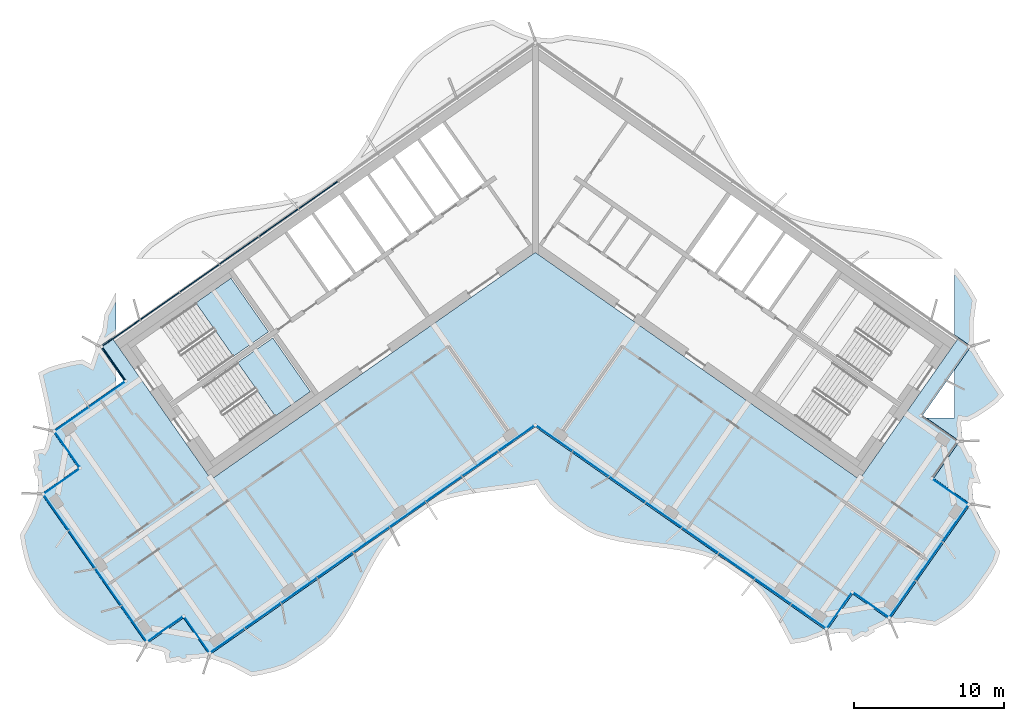
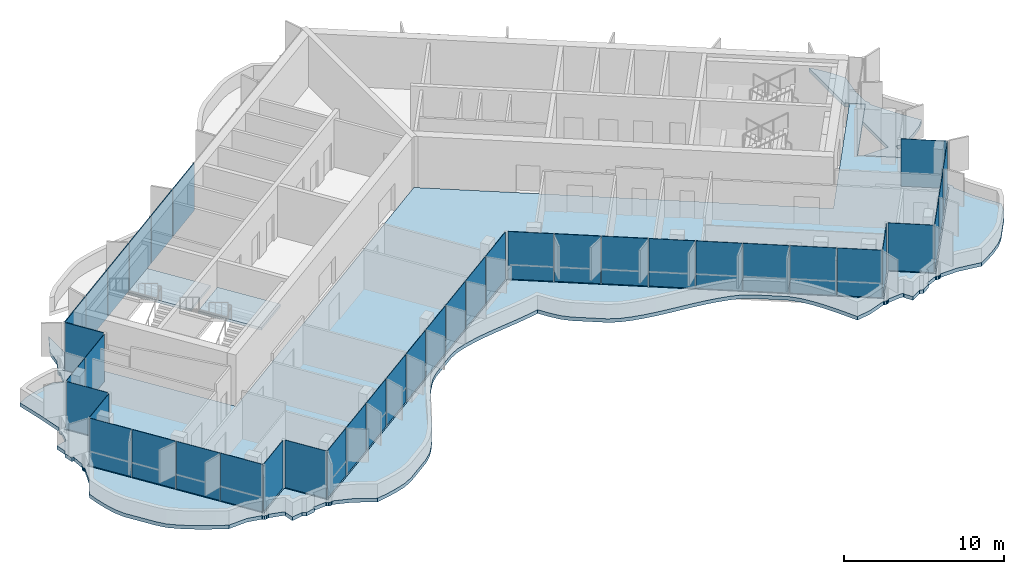
# One storey, part 7 of 17: 40 plates, 4 slabs, 4 elements without a shape of their own.
"""IFC4 building model written with IfcOpenShell, lengths in metres."""

from ifc_helpers import new_model, si_unit, direction, frame, origin, origin_2d, place, context, subcontext, project, spatial, polyline, rectangle, outline, extrude, material, layer, layer_set, type_object, element, aggregate, save


model = new_model("IFC4")

# Units and contexts
model_context = context("Model", 3, precision=1e-05, world=origin(), true_north=direction((0.0, 1.0)))
body_context = subcontext(model_context, "Body", "Model", "MODEL_VIEW")
ifc_project = project(units=[si_unit("LENGTHUNIT", "METRE"), si_unit("AREAUNIT", "SQUARE_METRE"), si_unit("VOLUMEUNIT", "CUBIC_METRE"), si_unit("PLANEANGLEUNIT", "RADIAN"), si_unit("MASSUNIT", "GRAM", prefix="KILO")], contexts=[model_context])

# Site, building, storey
site_placement = place(None, origin())
site = spatial("IfcSite", under=ifc_project, at=site_placement, CompositionType="ELEMENT")
building_placement = place(site_placement, origin())
building = spatial("IfcBuilding", under=site, at=building_placement, Name="Tel Ilan Convention Tower", CompositionType="ELEMENT")
storey_placement = place(building_placement, frame((0.0, 0.0, 276.10009765625)))
storey = spatial("IfcBuildingStorey", under=building, at=storey_placement, Name="L65", CompositionType="ELEMENT", Elevation=276.10009765625)

# Curtain wall, plates
ifc_material_1 = material(Name="Aluminium, bronze anodised", Category="aluminium")
curtain_wall_type_1 = type_object("IfcCurtainWallType", Name="CW2 STICK CURTAIN WALL, SPANDREL PANELS", PredefinedType="NOTDEFINED", material=ifc_material_1)
curtain_wall_1_placement = place(storey_placement, origin())
curtain_wall_1 = element("IfcCurtainWall", 1, at=curtain_wall_1_placement, inside=storey, type_object=curtain_wall_type_1, Name="Curtain wall CW2-50.01", PredefinedType="NOTDEFINED")
ifc_material_2 = material(Name="Aluminium composite panel, bronze anodised", Category="aluminium")
ifc_layer_1 = layer(ifc_material_2, 0.06005859375)
ifc_layer_set_1 = layer_set([ifc_layer_1], Name="CW SPANDREL PANEL 60")
plate_type_1 = type_object("IfcPlateType", Name="CW SPANDREL PANEL 60", PredefinedType="CURTAIN_PANEL", material=ifc_layer_set_1)
plate_1_placement = place(storey_placement, frame((-14.422119140625, 2.59765625, -0.000244140625), z_axis=(0.0, 0.0, 1.0), x_axis=(-0.819152044289, -0.573576436351, 0.0)))
plate_1 = element("IfcPlate", 2, at=plate_1_placement, type_object=plate_type_1, Name="Spandrel panel", PredefinedType="CURTAIN_PANEL", context=body_context, shape_type="SweptSolid", body=[
    extrude(rectangle(XDim=3.15380859375, YDim=0.06005859375, at=origin_2d()), origin(), (0.0, 0.0, 1.0), 3.6201171875),
])
plate_2_placement = place(storey_placement, frame((-17.0546875, 0.754150390625, -0.000244140625), z_axis=(0.0, 0.0, 1.0), x_axis=(-0.819152044289, -0.573576436351, 0.0)))
plate_2 = element("IfcPlate", 3, at=plate_2_placement, type_object=plate_type_1, Name="Spandrel panel", PredefinedType="CURTAIN_PANEL", context=body_context, shape_type="SweptSolid", body=[
    extrude(rectangle(XDim=3.15380859375, YDim=0.06005859375, at=origin_2d()), origin(), (0.0, 0.0, 1.0), 3.6201171875),
])
plate_3_placement = place(storey_placement, frame((-19.687255859375, -1.089111328125, -0.000244140625), z_axis=(0.0, 0.0, 1.0), x_axis=(-0.819152044289, -0.573576436351, 0.0)))
plate_3 = element("IfcPlate", 4, at=plate_3_placement, type_object=plate_type_1, Name="Spandrel panel", PredefinedType="CURTAIN_PANEL", context=body_context, shape_type="SweptSolid", body=[
    extrude(rectangle(XDim=3.15380859375, YDim=0.06005859375, at=origin_2d()), origin(), (0.0, 0.0, 1.0), 3.6201171875),
])
plate_4_placement = place(storey_placement, frame((-22.31982421875, -2.9326171875, -0.000244140625), z_axis=(0.0, 0.0, 1.0), x_axis=(-0.819152044289, -0.573576436351, 0.0)))
plate_4 = element("IfcPlate", 5, at=plate_4_placement, type_object=plate_type_1, Name="Spandrel panel", PredefinedType="CURTAIN_PANEL", context=body_context, shape_type="SweptSolid", body=[
    extrude(rectangle(XDim=3.15380859375, YDim=0.06005859375, at=origin_2d()), origin(), (0.0, 0.0, 1.0), 3.6201171875),
])
plate_5_placement = place(storey_placement, frame((-24.95263671875, -4.77587890625, -0.000244140625), z_axis=(0.0, 0.0, 1.0), x_axis=(-0.819152044289, -0.573576436351, 0.0)))
plate_5 = element("IfcPlate", 6, at=plate_5_placement, type_object=plate_type_1, Name="Spandrel panel", PredefinedType="CURTAIN_PANEL", context=body_context, shape_type="SweptSolid", body=[
    extrude(rectangle(XDim=3.15380859375, YDim=0.06005859375, at=origin_2d()), origin(), (0.0, 0.0, 1.0), 3.6201171875),
])
plate_6_placement = place(storey_placement, frame((-27.5400390625, -6.587646484375, -0.000244140625), z_axis=(0.0, 0.0, 1.0), x_axis=(-0.819152044289, -0.573576436351, 0.0)))
plate_6 = element("IfcPlate", 7, at=plate_6_placement, type_object=plate_type_1, Name="Spandrel panel", PredefinedType="CURTAIN_PANEL", context=body_context, shape_type="SweptSolid", body=[
    extrude(rectangle(XDim=3.0439453125, YDim=0.06005859375, at=origin_2d()), origin(), (0.0, 0.0, 1.0), 3.6201171875),
])
plate_7_placement = place(storey_placement, frame((-28.033935546875, -8.60546875, -0.000244140625), z_axis=(0.0, 0.0, 1.0), x_axis=(0.573576436351, -0.819152044289, 0.0)))
plate_7 = element("IfcPlate", 8, at=plate_7_placement, type_object=plate_type_1, Name="Spandrel panel", PredefinedType="CURTAIN_PANEL", context=body_context, shape_type="SweptSolid", body=[
    extrude(rectangle(XDim=2.658935546875, YDim=0.06005859375, at=origin_2d()), origin(), (0.0, 0.0, 1.0), 3.6201171875),
])
aggregate(curtain_wall_1, [plate_1, plate_2, plate_3, plate_4, plate_5, plate_6, plate_7])

ifc_material_3 = material(Name="Aluminium, bronze anodised", Category="aluminium")
curtain_wall_type_2 = type_object("IfcCurtainWallType", Name="CW5 STICK CURTAIN WALL, UPPER OFFICE LOW-IRON TINTED GLASS", PredefinedType="NOTDEFINED", material=ifc_material_3)
curtain_wall_2_placement = place(storey_placement, origin())
curtain_wall_2 = element("IfcCurtainWall", 9, at=curtain_wall_2_placement, inside=storey, type_object=curtain_wall_type_2, Name="Curtain wall CW5-50.02", PredefinedType="NOTDEFINED")
ifc_material_4 = material(Name="Glass, low-iron bronze tinted, two-ply", Category="glass")
ifc_layer_2 = layer(ifc_material_4, 0.031982421875)
ifc_layer_set_2 = layer_set([ifc_layer_2], Name="CW UPPER GLASS PANEL 32")
plate_type_2 = type_object("IfcPlateType", Name="CW UPPER GLASS PANEL 32", PredefinedType="CURTAIN_PANEL", material=ifc_layer_set_2)
plate_8_placement = place(storey_placement, frame((-28.471435546875, -10.657958984375, -0.000244140625), z_axis=(0.0, 0.0, 1.0), x_axis=(-0.819152044289, -0.573576436351, 0.0)))
plate_8 = element("IfcPlate", 10, at=plate_8_placement, type_object=plate_type_2, Name="Glass panel", PredefinedType="CURTAIN_PANEL", context=body_context, shape_type="SweptSolid", body=[
    extrude(rectangle(XDim=2.868896484375, YDim=0.028076171875, at=origin_2d()), origin(), (0.0, 0.0, 1.0), 3.6201171875),
])
plate_9_placement = place(storey_placement, frame((-30.8203125, -12.302734375, -0.000244140625), z_axis=(0.0, 0.0, 1.0), x_axis=(-0.819152044289, -0.573576436351, 0.0)))
plate_9 = element("IfcPlate", 11, at=plate_9_placement, type_object=plate_type_2, Name="Glass panel", PredefinedType="CURTAIN_PANEL", context=body_context, shape_type="SweptSolid", body=[
    extrude(rectangle(XDim=2.74609375, YDim=0.028076171875, at=origin_2d()), origin(), (0.0, 0.0, 1.0), 3.6201171875),
])
plate_10_placement = place(storey_placement, frame((-31.126220703125, -14.30126953125, -0.000244140625), z_axis=(0.0, 0.0, 1.0), x_axis=(0.573576436351, -0.819152044289, 0.0)))
plate_10 = element("IfcPlate", 12, at=plate_10_placement, type_object=plate_type_2, Name="Glass panel", PredefinedType="CURTAIN_PANEL", context=body_context, shape_type="SweptSolid", body=[
    extrude(rectangle(XDim=2.875, YDim=0.028076171875, at=origin_2d()), origin(), (0.0, 0.0, 1.0), 3.6201171875),
])
plate_11_placement = place(storey_placement, frame((-31.504150390625, -16.44384765625, -0.000244140625), z_axis=(0.0, 0.0, 1.0), x_axis=(-0.819152044289, -0.573576436351, 0.0)))
plate_11 = element("IfcPlate", 13, at=plate_11_placement, type_object=plate_type_2, Name="Glass panel", PredefinedType="CURTAIN_PANEL", context=body_context, shape_type="SweptSolid", body=[
    extrude(rectangle(XDim=2.875, YDim=0.028076171875, at=origin_2d()), origin(), (0.0, 0.0, 1.0), 3.6201171875),
])
plate_12_placement = place(storey_placement, frame((-31.85693359375, -18.488037109375, -0.000244140625), z_axis=(0.0, 0.0, 1.0), x_axis=(0.573576436351, -0.819152044289, 0.0)))
plate_12 = element("IfcPlate", 14, at=plate_12_placement, type_object=plate_type_2, Name="Glass panel", PredefinedType="CURTAIN_PANEL", context=body_context, shape_type="SweptSolid", body=[
    extrude(rectangle(XDim=2.89599609375, YDim=0.028076171875, at=origin_2d()), origin(), (0.0, 0.0, 1.0), 3.6201171875),
])
plate_13_placement = place(storey_placement, frame((-30.134521484375, -20.94775390625, -0.000244140625), z_axis=(0.0, 0.0, 1.0), x_axis=(0.573576436351, -0.819152044289, 0.0)))
plate_13 = element("IfcPlate", 15, at=plate_13_placement, type_object=plate_type_2, Name="Glass panel", PredefinedType="CURTAIN_PANEL", context=body_context, shape_type="SweptSolid", body=[
    extrude(rectangle(XDim=2.989990234375, YDim=0.028076171875, at=origin_2d()), origin(), (0.0, 0.0, 1.0), 3.6201171875),
])
plate_14_placement = place(storey_placement, frame((-28.38525390625, -23.4462890625, -0.000244140625), z_axis=(0.0, 0.0, 1.0), x_axis=(0.573576436351, -0.819152044289, 0.0)))
plate_14 = element("IfcPlate", 16, at=plate_14_placement, type_object=plate_type_2, Name="Glass panel", PredefinedType="CURTAIN_PANEL", context=body_context, shape_type="SweptSolid", body=[
    extrude(rectangle(XDim=2.989990234375, YDim=0.028076171875, at=origin_2d()), origin(), (0.0, 0.0, 1.0), 3.6201171875),
])
plate_15_placement = place(storey_placement, frame((-26.66259765625, -25.90625, -0.000244140625), z_axis=(0.0, 0.0, 1.0), x_axis=(0.573576436351, -0.819152044289, 0.0)))
plate_15 = element("IfcPlate", 17, at=plate_15_placement, type_object=plate_type_2, Name="Glass panel", PredefinedType="CURTAIN_PANEL", context=body_context, shape_type="SweptSolid", body=[
    extrude(rectangle(XDim=2.89599609375, YDim=0.028076171875, at=origin_2d()), origin(), (0.0, 0.0, 1.0), 3.6201171875),
])
plate_16_placement = place(storey_placement, frame((-24.621337890625, -26.273681640625, -0.000244140625), z_axis=(0.0, 0.0, 1.0), x_axis=(0.819152044289, 0.573576436351, 0.0)))
plate_16 = element("IfcPlate", 18, at=plate_16_placement, type_object=plate_type_2, Name="Glass panel", PredefinedType="CURTAIN_PANEL", context=body_context, shape_type="SweptSolid", body=[
    extrude(rectangle(XDim=2.875, YDim=0.028076171875, at=origin_2d()), origin(), (0.0, 0.0, 1.0), 3.6201171875),
])
plate_17_placement = place(storey_placement, frame((-22.478515625, -26.651611328125, -0.000244140625), z_axis=(0.0, 0.0, 1.0), x_axis=(0.573576436351, -0.819152044289, 0.0)))
plate_17 = element("IfcPlate", 19, at=plate_17_placement, type_object=plate_type_2, Name="Glass panel", PredefinedType="CURTAIN_PANEL", context=body_context, shape_type="SweptSolid", body=[
    extrude(rectangle(XDim=2.875, YDim=0.028076171875, at=origin_2d()), origin(), (0.0, 0.0, 1.0), 3.6201171875),
])
plate_18_placement = place(storey_placement, frame((-20.47998046875, -27.036376953125, -0.000244140625), z_axis=(0.0, 0.0, 1.0), x_axis=(0.819152044289, 0.573576436351, 0.0)))
plate_18 = element("IfcPlate", 20, at=plate_18_placement, type_object=plate_type_2, Name="Glass panel", PredefinedType="CURTAIN_PANEL", context=body_context, shape_type="SweptSolid", body=[
    extrude(rectangle(XDim=2.78466796875, YDim=0.028076171875, at=origin_2d()), origin(), (0.0, 0.0, 1.0), 3.6201171875),
])
plate_19_placement = place(storey_placement, frame((-18.111328125, -25.377685546875, -0.000244140625), z_axis=(0.0, 0.0, 1.0), x_axis=(0.819152044289, 0.573576436351, 0.0)))
plate_19 = element("IfcPlate", 21, at=plate_19_placement, type_object=plate_type_2, Name="Glass panel", PredefinedType="CURTAIN_PANEL", context=body_context, shape_type="SweptSolid", body=[
    extrude(rectangle(XDim=2.878662109375, YDim=0.028076171875, at=origin_2d()), origin(), (0.0, 0.0, 1.0), 3.6201171875),
])
plate_20_placement = place(storey_placement, frame((-15.7041015625, -23.692138671875, -0.000244140625), z_axis=(0.0, 0.0, 1.0), x_axis=(0.819152044289, 0.573576436351, 0.0)))
plate_20 = element("IfcPlate", 22, at=plate_20_placement, type_object=plate_type_2, Name="Glass panel", PredefinedType="CURTAIN_PANEL", context=body_context, shape_type="SweptSolid", body=[
    extrude(rectangle(XDim=2.878662109375, YDim=0.028076171875, at=origin_2d()), origin(), (0.0, 0.0, 1.0), 3.6201171875),
])
plate_21_placement = place(storey_placement, frame((-13.296875, -22.006591796875, -0.000244140625), z_axis=(0.0, 0.0, 1.0), x_axis=(0.819152044289, 0.573576436351, 0.0)))
plate_21 = element("IfcPlate", 23, at=plate_21_placement, type_object=plate_type_2, Name="Glass panel", PredefinedType="CURTAIN_PANEL", context=body_context, shape_type="SweptSolid", body=[
    extrude(rectangle(XDim=2.878662109375, YDim=0.028076171875, at=origin_2d()), origin(), (0.0, 0.0, 1.0), 3.6201171875),
])
plate_22_placement = place(storey_placement, frame((-10.8896484375, -20.321044921875, -0.000244140625), z_axis=(0.0, 0.0, 1.0), x_axis=(0.819152044289, 0.573576436351, 0.0)))
plate_22 = element("IfcPlate", 24, at=plate_22_placement, type_object=plate_type_2, Name="Glass panel", PredefinedType="CURTAIN_PANEL", context=body_context, shape_type="SweptSolid", body=[
    extrude(rectangle(XDim=2.878662109375, YDim=0.028076171875, at=origin_2d()), origin(), (0.0, 0.0, 1.0), 3.6201171875),
])
plate_23_placement = place(storey_placement, frame((-8.482666015625, -18.635498046875, -0.000244140625), z_axis=(0.0, 0.0, 1.0), x_axis=(0.819152044289, 0.573576436351, 0.0)))
plate_23 = element("IfcPlate", 25, at=plate_23_placement, type_object=plate_type_2, Name="Glass panel", PredefinedType="CURTAIN_PANEL", context=body_context, shape_type="SweptSolid", body=[
    extrude(rectangle(XDim=2.878662109375, YDim=0.028076171875, at=origin_2d()), origin(), (0.0, 0.0, 1.0), 3.6201171875),
])
plate_24_placement = place(storey_placement, frame((-6.075439453125, -16.949951171875, -0.000244140625), z_axis=(0.0, 0.0, 1.0), x_axis=(0.819152044289, 0.573576436351, 0.0)))
plate_24 = element("IfcPlate", 26, at=plate_24_placement, type_object=plate_type_2, Name="Glass panel", PredefinedType="CURTAIN_PANEL", context=body_context, shape_type="SweptSolid", body=[
    extrude(rectangle(XDim=2.878662109375, YDim=0.028076171875, at=origin_2d()), origin(), (0.0, 0.0, 1.0), 3.6201171875),
])
plate_25_placement = place(storey_placement, frame((-3.668212890625, -15.264404296875, -0.000244140625), z_axis=(0.0, 0.0, 1.0), x_axis=(0.819152044289, 0.573576436351, 0.0)))
plate_25 = element("IfcPlate", 27, at=plate_25_placement, type_object=plate_type_2, Name="Glass panel", PredefinedType="CURTAIN_PANEL", context=body_context, shape_type="SweptSolid", body=[
    extrude(rectangle(XDim=2.878662109375, YDim=0.028076171875, at=origin_2d()), origin(), (0.0, 0.0, 1.0), 3.6201171875),
])
plate_26_placement = place(storey_placement, frame((-1.261474609375, -13.579345703125, -0.000244140625), z_axis=(0.0, 0.0, 1.0), x_axis=(0.819152044289, 0.573576436351, 0.0)))
plate_26 = element("IfcPlate", 28, at=plate_26_placement, type_object=plate_type_2, Name="Glass panel", PredefinedType="CURTAIN_PANEL", context=body_context, shape_type="SweptSolid", body=[
    extrude(rectangle(XDim=2.877685546875, YDim=0.028076171875, at=origin_2d()), origin(), (0.0, 0.0, 1.0), 3.6201171875),
])
plate_27_placement = place(storey_placement, frame((1.280029296875, -13.59228515625, -0.000244140625), z_axis=(0.0, 0.0, 1.0), x_axis=(0.819152044289, -0.573576436351, 0.0)))
plate_27 = element("IfcPlate", 29, at=plate_27_placement, type_object=plate_type_2, Name="Glass panel", PredefinedType="CURTAIN_PANEL", context=body_context, shape_type="SweptSolid", body=[
    extrude(rectangle(XDim=2.866943359375, YDim=0.028076171875, at=origin_2d()), origin(), (0.0, 0.0, 1.0), 3.6201171875),
])
plate_28_placement = place(storey_placement, frame((3.689453125, -15.279541015625, -0.000244140625), z_axis=(0.0, 0.0, 1.0), x_axis=(0.819152044289, -0.573576436351, 0.0)))
plate_28 = element("IfcPlate", 30, at=plate_28_placement, type_object=plate_type_2, Name="Glass panel", PredefinedType="CURTAIN_PANEL", context=body_context, shape_type="SweptSolid", body=[
    extrude(rectangle(XDim=2.89599609375, YDim=0.028076171875, at=origin_2d()), origin(), (0.0, 0.0, 1.0), 3.6201171875),
])
plate_29_placement = place(storey_placement, frame((6.11083984375, -16.974853515625, -0.000244140625), z_axis=(0.0, 0.0, 1.0), x_axis=(0.819152044289, -0.573576436351, 0.0)))
plate_29 = element("IfcPlate", 31, at=plate_29_placement, type_object=plate_type_2, Name="Glass panel", PredefinedType="CURTAIN_PANEL", context=body_context, shape_type="SweptSolid", body=[
    extrude(rectangle(XDim=2.89599609375, YDim=0.028076171875, at=origin_2d()), origin(), (0.0, 0.0, 1.0), 3.6201171875),
])
plate_30_placement = place(storey_placement, frame((8.5322265625, -18.67041015625, -0.000244140625), z_axis=(0.0, 0.0, 1.0), x_axis=(0.819152044289, -0.573576436351, 0.0)))
plate_30 = element("IfcPlate", 32, at=plate_30_placement, type_object=plate_type_2, Name="Glass panel", PredefinedType="CURTAIN_PANEL", context=body_context, shape_type="SweptSolid", body=[
    extrude(rectangle(XDim=2.89599609375, YDim=0.028076171875, at=origin_2d()), origin(), (0.0, 0.0, 1.0), 3.6201171875),
])
plate_31_placement = place(storey_placement, frame((10.95361328125, -20.365966796875, -0.000244140625), z_axis=(0.0, 0.0, 1.0), x_axis=(0.819152044289, -0.573576436351, 0.0)))
plate_31 = element("IfcPlate", 33, at=plate_31_placement, type_object=plate_type_2, Name="Glass panel", PredefinedType="CURTAIN_PANEL", context=body_context, shape_type="SweptSolid", body=[
    extrude(rectangle(XDim=2.89599609375, YDim=0.028076171875, at=origin_2d()), origin(), (0.0, 0.0, 1.0), 3.6201171875),
])
plate_32_placement = place(storey_placement, frame((13.375, -22.061279296875, -0.000244140625), z_axis=(0.0, 0.0, 1.0), x_axis=(0.819152044289, -0.573576436351, 0.0)))
plate_32 = element("IfcPlate", 34, at=plate_32_placement, type_object=plate_type_2, Name="Glass panel", PredefinedType="CURTAIN_PANEL", context=body_context, shape_type="SweptSolid", body=[
    extrude(rectangle(XDim=2.89599609375, YDim=0.028076171875, at=origin_2d()), origin(), (0.0, 0.0, 1.0), 3.6201171875),
])
plate_33_placement = place(storey_placement, frame((15.79638671875, -23.7568359375, -0.000244140625), z_axis=(0.0, 0.0, 1.0), x_axis=(0.819152044289, -0.573576436351, 0.0)))
plate_33 = element("IfcPlate", 35, at=plate_33_placement, type_object=plate_type_2, Name="Glass panel", PredefinedType="CURTAIN_PANEL", context=body_context, shape_type="SweptSolid", body=[
    extrude(rectangle(XDim=2.89599609375, YDim=0.028076171875, at=origin_2d()), origin(), (0.0, 0.0, 1.0), 3.6201171875),
])
plate_34_placement = place(storey_placement, frame((18.17919921875, -25.42529296875, -0.000244140625), z_axis=(0.0, 0.0, 1.0), x_axis=(0.819152044289, -0.573576436351, 0.0)))
plate_34 = element("IfcPlate", 36, at=plate_34_placement, type_object=plate_type_2, Name="Glass panel", PredefinedType="CURTAIN_PANEL", context=body_context, shape_type="SweptSolid", body=[
    extrude(rectangle(XDim=2.802001953125, YDim=0.028076171875, at=origin_2d()), origin(), (0.0, 0.0, 1.0), 3.6201171875),
])
plate_35_placement = place(storey_placement, frame((20.184814453125, -25.04541015625, -0.000244140625), z_axis=(0.0, 0.0, 1.0), x_axis=(0.573576436351, 0.819152044289, 0.0)))
plate_35 = element("IfcPlate", 37, at=plate_35_placement, type_object=plate_type_2, Name="Glass panel", PredefinedType="CURTAIN_PANEL", context=body_context, shape_type="SweptSolid", body=[
    extrude(rectangle(XDim=2.875, YDim=0.028076171875, at=origin_2d()), origin(), (0.0, 0.0, 1.0), 3.6201171875),
])
plate_36_placement = place(storey_placement, frame((22.32763671875, -24.667724609375, -0.000244140625), z_axis=(0.0, 0.0, 1.0), x_axis=(0.819152044289, -0.573576436351, 0.0)))
plate_36 = element("IfcPlate", 38, at=plate_36_placement, type_object=plate_type_2, Name="Glass panel", PredefinedType="CURTAIN_PANEL", context=body_context, shape_type="SweptSolid", body=[
    extrude(rectangle(XDim=2.875, YDim=0.028076171875, at=origin_2d()), origin(), (0.0, 0.0, 1.0), 3.6201171875),
])
plate_37_placement = place(storey_placement, frame((24.39306640625, -24.26611328125, -0.000244140625), z_axis=(0.0, 0.0, 1.0), x_axis=(0.573576436351, 0.819152044289, 0.0)))
plate_37 = element("IfcPlate", 39, at=plate_37_placement, type_object=plate_type_2, Name="Glass panel", PredefinedType="CURTAIN_PANEL", context=body_context, shape_type="SweptSolid", body=[
    extrude(rectangle(XDim=2.979248046875, YDim=0.028076171875, at=origin_2d()), origin(), (0.0, 0.0, 1.0), 3.6201171875),
])
plate_38_placement = place(storey_placement, frame((26.163330078125, -21.73779296875, -0.000244140625), z_axis=(0.0, 0.0, 1.0), x_axis=(0.573576436351, 0.819152044289, 0.0)))
plate_38 = element("IfcPlate", 40, at=plate_38_placement, type_object=plate_type_2, Name="Glass panel", PredefinedType="CURTAIN_PANEL", context=body_context, shape_type="SweptSolid", body=[
    extrude(rectangle(XDim=3.0732421875, YDim=0.028076171875, at=origin_2d()), origin(), (0.0, 0.0, 1.0), 3.6201171875),
])
plate_39_placement = place(storey_placement, frame((27.93359375, -19.209716796875, -0.000244140625), z_axis=(0.0, 0.0, 1.0), x_axis=(0.573576436351, 0.819152044289, 0.0)))
plate_39 = element("IfcPlate", 41, at=plate_39_placement, type_object=plate_type_2, Name="Glass panel", PredefinedType="CURTAIN_PANEL", context=body_context, shape_type="SweptSolid", body=[
    extrude(rectangle(XDim=2.979248046875, YDim=0.028076171875, at=origin_2d()), origin(), (0.0, 0.0, 1.0), 3.6201171875),
])
plate_40_placement = place(storey_placement, frame((27.6044921875, -17.131591796875, -0.000244140625), z_axis=(0.0, 0.0, 1.0), x_axis=(-0.819152044289, 0.573576436351, 0.0)))
plate_40 = element("IfcPlate", 42, at=plate_40_placement, type_object=plate_type_2, Name="Glass panel", PredefinedType="CURTAIN_PANEL", context=body_context, shape_type="SweptSolid", body=[
    extrude(rectangle(XDim=2.875, YDim=0.028076171875, at=origin_2d()), origin(), (0.0, 0.0, 1.0), 3.6201171875),
])
aggregate(curtain_wall_2, [plate_8, plate_9, plate_10, plate_11, plate_12, plate_13, plate_14, plate_15, plate_16, plate_17, plate_18, plate_19, plate_20, plate_21, plate_22, plate_23, plate_24, plate_25, plate_26, plate_27, plate_28, plate_29, plate_30, plate_31, plate_32, plate_33, plate_34, plate_35, plate_36, plate_37, plate_38, plate_39, plate_40])

# Stair, slab
ifc_material_5 = material(Name="Concrete C40/50", Category="concrete")
stair_type = type_object("IfcStairType", Name="Pressurised Exit Stair 22 risers 177 mm", PredefinedType="HALF_TURN_STAIR", material=ifc_material_5)
stair_1_placement = place(storey_placement, origin())
stair_1 = element("IfcStair", 43, at=stair_1_placement, inside=storey, type_object=stair_type, Name="L65 Pressurised Stair S1", PredefinedType="HALF_TURN_STAIR")
ifc_material_6 = material(Name="Concrete C40/50", Category="concrete")
ifc_layer_3 = layer(ifc_material_6, 0.199951171875)
ifc_layer_set_3 = layer_set([ifc_layer_3], Name="Concrete Stair Landing 200 mm C40/50")
slab_type_1 = type_object("IfcSlabType", Name="Concrete Stair Landing 200 mm", PredefinedType="LANDING", material=ifc_layer_set_3)
slab_1_placement = place(storey_placement, frame((0.0, 0.0, 1.75)))
slab_1 = element("IfcSlab", 44, at=slab_1_placement, type_object=slab_type_1, Name="S1 landing 1", PredefinedType="LANDING", context=body_context, shape_type="SweptSolid", body=[
    extrude(outline(polyline([(-20.066650390625, -8.130126953125), (-17.7314453125, -6.494873046875), (-20.226318359375, -2.931640625), (-22.561767578125, -4.566650390625), (-20.066650390625, -8.130126953125)])), origin(), (0.0, 0.0, 1.0), 0.199951171875),
])
aggregate(stair_1, [slab_1])

stair_2_placement = place(storey_placement, origin())
stair_2 = element("IfcStair", 45, at=stair_2_placement, inside=storey, type_object=stair_type, Name="L65 Pressurised Stair S2", PredefinedType="HALF_TURN_STAIR")
slab_2_placement = place(storey_placement, frame((0.0, 0.0, 1.75)))
slab_2 = element("IfcSlab", 46, at=slab_2_placement, type_object=slab_type_1, Name="S2 landing 1", PredefinedType="LANDING", context=body_context, shape_type="SweptSolid", body=[
    extrude(outline(polyline([(-17.28466796875, -12.10302734375), (-14.949462890625, -10.4677734375), (-17.444580078125, -6.904541015625), (-19.77978515625, -8.53955078125), (-17.28466796875, -12.10302734375)])), origin(), (0.0, 0.0, 1.0), 0.199951171875),
])
aggregate(stair_2, [slab_2])

# Slabs
ifc_material_7 = material(Name="Concrete C40/50", Category="concrete")
ifc_layer_4 = layer(ifc_material_7, 0.280029296875)
ifc_layer_set_4 = layer_set([ifc_layer_4], Name="Edge Ledge Slab 280 mm C40/50")
slab_type_2 = type_object("IfcSlabType", Name="Edge Ledge Slab 280 mm C40/50", PredefinedType="FLOOR", material=ifc_layer_set_4)
slab_3_placement = place(storey_placement, frame((0.0, 0.0, -0.280029296875)))
element("IfcSlab", 47, at=slab_3_placement, inside=storey, type_object=slab_type_2, Name="L65 edge ledge 1", PredefinedType="FLOOR", context=body_context, shape_type="SweptSolid", body=[
    extrude(outline(polyline([(-23.49462890625, -28.5126953125), (-23.728759765625, -28.3701171875), (-24.51416015625, -28.518310546875), (-24.64697265625, -27.87890625), (-24.61669921875, -27.8291015625), (-24.7724609375, -27.73388671875), (-25.6708984375, -27.4970703125), (-25.67431640625, -27.4921875), (-25.728271484375, -27.5283203125), (-25.843017578125, -27.55126953125), (-25.957763671875, -27.5283203125), (-26.05517578125, -27.46337890625), (-26.083984375, -27.420166015625), (-26.088623046875, -27.42333984375), (-27.05419921875, -27.223388671875), (-28.398193359375, -27.288330078125), (-29.12353515625, -26.920166015625), (-29.82373046875, -26.5341796875), (-30.49462890625, -26.1279296875), (-31.125732421875, -25.69384765625), (-31.707763671875, -25.22509765625), (-32.166748046875, -24.670654296875), (-33.401611328125, -22.906982421875), (-33.7158203125, -22.2509765625), (-33.940185546875, -21.531982421875), (-34.1181640625, -20.780517578125), (-34.248779296875, -19.995849609375), (-33.47021484375, -18.574462890625), (-33.08642578125, -17.4296875), (-33.081787109375, -17.426513671875), (-33.117919921875, -17.372314453125), (-33.140625, -17.257568359375), (-33.117919921875, -17.142822265625), (-33.052734375, -17.04541015625), (-33.009521484375, -17.0166015625), (-33.0126953125, -17.011962890625), (-33.085693359375, -16.03955078125), (-33.232666015625, -16.067138671875), (-33.365478515625, -15.427490234375), (-33.22265625, -15.193603515625), (-33.370849609375, -14.408203125), (-32.7314453125, -14.275390625), (-32.681640625, -14.3056640625), (-32.586669921875, -14.14990234375), (-32.349609375, -13.25146484375), (-32.344970703125, -13.248291015625), (-32.381103515625, -13.194091796875), (-32.40380859375, -13.079345703125), (-32.381103515625, -12.964599609375), (-32.31591796875, -12.8671875), (-32.272705078125, -12.83837890625), (-32.27587890625, -12.833740234375), (-32.6083984375, -11.094970703125), (-33.031982421875, -9.225830078125), (-32.382080078125, -8.890380859375), (-31.6572265625, -8.661376953125), (-30.899169921875, -8.47998046875), (-30.110107421875, -8.3427734375), (-29.537353515625, -8.652587890625), (-29.20458984375, -7.631103515625), (-29.199951171875, -7.6279296875), (-29.236083984375, -7.57373046875), (-29.2587890625, -7.458984375), (-29.236083984375, -7.34423828125), (-29.1708984375, -7.246826171875), (-29.127685546875, -7.218017578125), (-29.130859375, -7.21337890625), (-28.772216796875, -6.441650390625), (-28.635009765625, -5.353515625), (-28.252685546875, -4.614990234375), (-27.875, -3.881103515625), (-27.875, -6.7001953125), (-28.958740234375, -7.458984375), (-27.875, -9.007080078125), (-27.875, -10.1181640625), (-32.10400390625, -13.079345703125), (-30.383056640625, -15.536865234375), (-32.840576171875, -17.257568359375), (-25.843017578125, -27.251220703125), (-23.385498046875, -25.530517578125), (-21.664794921875, -27.988037109375), (0.0, -12.818115234375), (19.37109375, -26.382080078125), (21.091796875, -23.924560546875), (23.54931640625, -25.645263671875), (28.94091796875, -17.9453125), (26.4833984375, -16.224609375), (28.2041015625, -13.76708984375), (26.023681640625, -12.239990234375), (27.875, -12.239990234375), (27.875, -9.007080078125), (28.958740234375, -7.458984375), (27.875, -6.7001953125), (27.875, -2.269287109375), (28.0107421875, -2.392578125), (28.48388671875, -3.001220703125), (28.922119140625, -3.6591796875), (29.331298828125, -4.35888671875), (29.109619140625, -5.95947265625), (29.130859375, -7.21337890625), (29.127685546875, -7.218017578125), (29.1708984375, -7.246826171875), (29.236083984375, -7.34423828125), (29.2587890625, -7.458984375), (29.236083984375, -7.57373046875), (29.199951171875, -7.6279296875), (29.20458984375, -7.631103515625), (30.056640625, -9.082275390625), (31.151123046875, -10.703125), (30.66748046875, -11.218994140625), (30.077880859375, -11.660888671875), (29.445068359375, -12.072265625), (28.752685546875, -12.44189453125), (28.33642578125, -12.373291015625), (28.291748046875, -12.595947265625), (28.376220703125, -13.521240234375), (28.373046875, -13.52587890625), (28.41650390625, -13.554931640625), (28.4814453125, -13.652099609375), (28.504150390625, -13.76708984375), (28.4814453125, -13.8818359375), (28.4453125, -13.935791015625), (28.449951171875, -13.939208984375), (28.889404296875, -14.805419921875), (28.979736328125, -14.751708984375), (29.3232421875, -15.30712890625), (29.26171875, -15.613037109375), (29.61181640625, -16.583740234375), (29.080078125, -16.5166015625), (29.028564453125, -16.774169921875), (29.113037109375, -17.699462890625), (29.10986328125, -17.7041015625), (29.153076171875, -17.733154296875), (29.218017578125, -17.830322265625), (29.240966796875, -17.9453125), (29.218017578125, -18.06005859375), (29.181884765625, -18.114013671875), (29.186767578125, -18.1171875), (29.872314453125, -19.47998046875), (30.8984375, -21.081298828125), (30.669189453125, -21.803466796875), (30.31298828125, -22.436767578125), (29.068603515625, -24.213623046875), (28.5625, -24.741943359375), (27.960693359375, -25.203369140625), (27.311767578125, -25.631591796875), (26.617919921875, -26.0283203125), (25.015625, -25.789306640625), (23.795166015625, -25.8173828125), (23.790283203125, -25.81396484375), (23.761474609375, -25.857421875), (23.664306640625, -25.92236328125), (23.54931640625, -25.9453125), (23.4345703125, -25.92236328125), (23.380615234375, -25.88623046875), (23.377197265625, -25.89111328125), (22.488525390625, -26.292236328125), (22.564697265625, -26.4208984375), (22.00927734375, -26.76416015625), (21.740478515625, -26.710205078125), (21.052978515625, -27.1181640625), (20.709716796875, -26.5625), (20.72119140625, -26.50537109375), (20.542236328125, -26.469482421875), (19.616943359375, -26.553955078125), (19.6123046875, -26.55078125), (19.583251953125, -26.593994140625), (19.486083984375, -26.6591796875), (19.37109375, -26.681884765625), (19.25634765625, -26.6591796875), (19.202392578125, -26.623046875), (19.19921875, -26.627685546875), (17.98388671875, -27.074951171875), (16.96240234375, -27.2451171875), (16.57958984375, -26.50341796875), (16.18994140625, -25.771728515625), (15.782958984375, -25.064453125), (15.349853515625, -24.39453125), (14.88330078125, -23.7724609375), (14.356201171875, -23.23681640625), (12.540283203125, -21.965087890625), (11.8955078125, -21.59765625), (11.16455078125, -21.353271484375), (10.3974609375, -21.159912109375), (9.601806640625, -21.008056640625), (8.785888671875, -20.885009765625), (7.958740234375, -20.777587890625), (7.130615234375, -20.672119140625), (6.311279296875, -20.553955078125), (5.510009765625, -20.40966796875), (4.73583984375, -20.22705078125), (3.99609375, -19.9951171875), (3.325927734375, -19.663818359375), (1.510009765625, -18.39208984375), (0.956298828125, -17.894287109375), (0.481201171875, -17.28466796875), (0.041015625, -16.624755859375), (0.03369140625, -16.6123046875), (-0.023681640625, -16.626708984375), (-0.816650390625, -16.775146484375), (-1.62890625, -16.895751953125), (-2.45166015625, -17.001953125), (-3.274658203125, -17.107421875), (-4.08837890625, -17.225830078125), (-4.8837890625, -17.370849609375), (-5.65234375, -17.55419921875), (-6.386474609375, -17.78662109375), (-7.049560546875, -18.12060546875), (-8.85498046875, -19.384521484375), (-9.404541015625, -19.880615234375), (-9.877197265625, -20.486572265625), (-10.314697265625, -21.142333984375), (-10.724853515625, -21.83740234375), (-11.11572265625, -22.56005859375), (-11.49658203125, -23.296875), (-11.877197265625, -24.0341796875), (-12.267333984375, -24.7578125), (-12.67626953125, -25.454833984375), (-13.1123046875, -26.113037109375), (-13.582763671875, -26.721923828125), (-14.12646484375, -27.226318359375), (-15.931884765625, -28.490478515625), (-16.588623046875, -28.833251953125), (-17.32080078125, -29.068603515625), (-18.08740234375, -29.25439453125), (-18.88330078125, -29.3984375), (-20.311279296875, -28.64013671875), (-21.49267578125, -28.233642578125), (-21.49609375, -28.22900390625), (-21.550048828125, -28.26513671875), (-21.664794921875, -28.2880859375), (-21.779541015625, -28.26513671875), (-21.876953125, -28.2001953125), (-21.906005859375, -28.15673828125), (-21.910400390625, -28.16015625), (-22.8828125, -28.233154296875), (-22.855224609375, -28.3798828125), (-23.49462890625, -28.5126953125)])), origin(), (0.0, 0.0, 1.0), 0.280029296875),
])
ifc_material_8 = material(Name="Concrete C40/50", Category="concrete")
ifc_layer_5 = layer(ifc_material_8, 0.280029296875)
ifc_layer_set_5 = layer_set([ifc_layer_5], Name="Flat Plate Floor Slab 280 mm C40/50")
slab_type_3 = type_object("IfcSlabType", Name="Flat Plate Floor Slab 280 mm C40/50", PredefinedType="FLOOR", material=ifc_layer_set_5)
slab_4_placement = place(storey_placement, frame((0.0, 0.0, -0.280029296875)))
element("IfcSlab", 48, at=slab_4_placement, inside=storey, type_object=slab_type_3, Name="L65 floor slab", PredefinedType="FLOOR", context=body_context, shape_type="SweptSolid", body=[
    extrude(outline(polyline([(-21.54345703125, -16.3056640625), (0.0, -1.220703125), (21.54345703125, -16.3056640625), (28.1396484375, -6.885498046875), (28.958740234375, -7.458984375), (25.746826171875, -12.04638671875), (28.2041015625, -13.76708984375), (26.4833984375, -16.224609375), (28.94091796875, -17.9453125), (23.54931640625, -25.645263671875), (21.091796875, -23.924560546875), (19.37109375, -26.382080078125), (0.0, -12.818115234375), (-21.664794921875, -27.988037109375), (-23.385498046875, -25.530517578125), (-25.843017578125, -27.251220703125), (-32.840576171875, -17.257568359375), (-30.383056640625, -15.536865234375), (-32.10400390625, -13.079345703125), (-27.352783203125, -9.752685546875), (-28.958740234375, -7.458984375), (-28.1396484375, -6.885498046875), (-21.54345703125, -16.3056640625)])), origin(), (0.0, 0.0, 1.0), 0.280029296875),
])

save(model, "model.ifc")
